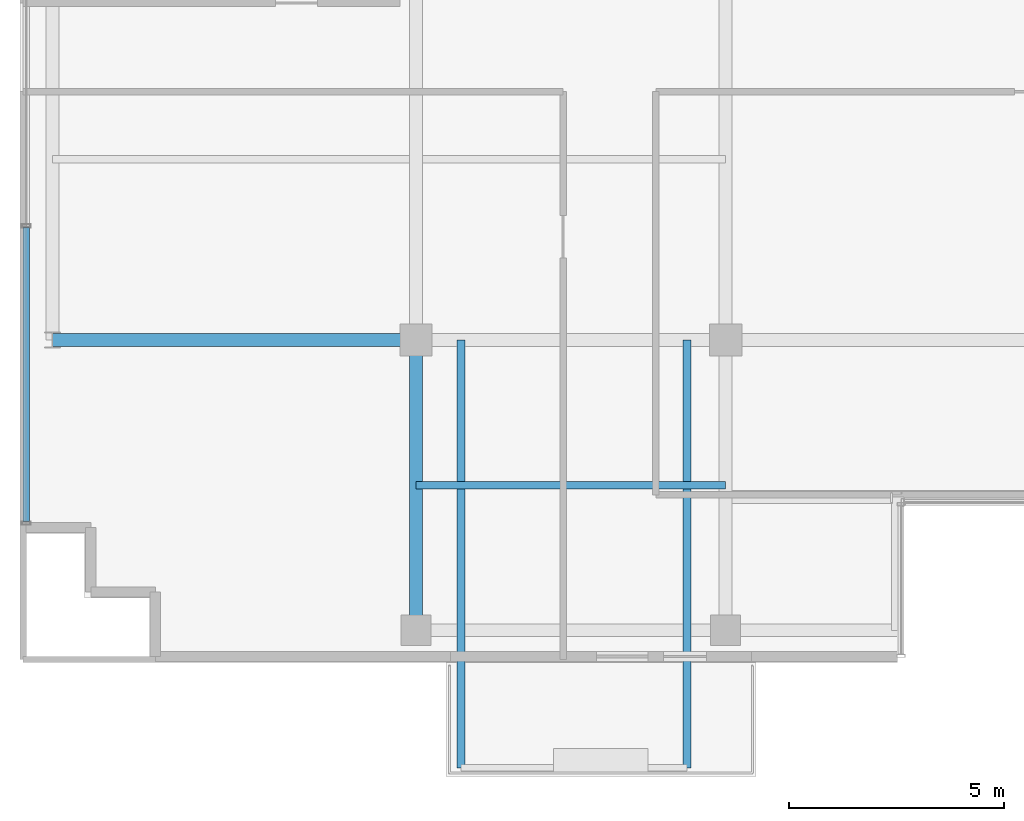
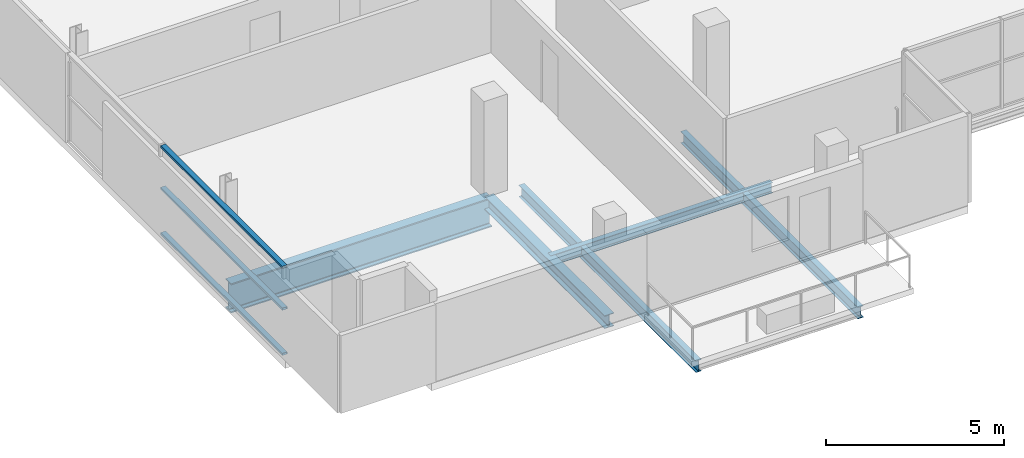
# One storey, part 3 of 24: 5 beams, 3 members, 1 element without a shape of its own.
"""IFC4 building model written with IfcOpenShell, lengths in metres."""

import ifcopenshell
import ifcopenshell.guid

model = None  # the IFC model being written
_history = None  # IfcOwnerHistory: only IFC2X3 demands one
_inside = {}  # id of a spatial element -> (the spatial element, [elements in it])
_under = {}  # id of a project, library or spatial element -> (it, [spatial elements below it])
_declared = {}  # id of a project -> (the project, [libraries it declares])
_typed = {}  # id of a type object -> (the type object, [elements of that type])
_made_of = {}  # id of a material, layer set ... -> (it, [elements and type objects made of it])


def new_model(schema):
    """Start an empty IFC model of exactly this schema.

    Asked for "IFC4X3", IfcOpenShell would pick the latest addendum, in which some entities
    have other attributes; the version numbers below select the first issue.
    IFC2X3 requires an IfcOwnerHistory on every rooted entity: one is made here for all.
    """
    global model, _history
    if schema == "IFC4X3":
        model = ifcopenshell.file(schema_version=(4, 3, 0, 0))
    else:
        model = ifcopenshell.file(schema=schema)
    _inside.clear()
    _under.clear()
    _declared.clear()
    _typed.clear()
    _made_of.clear()
    _history = None
    if model.schema == "IFC2X3":
        org = make("IfcOrganization", Name="unknown")
        user = make(
            "IfcPersonAndOrganization",
            ThePerson=make("IfcPerson", FamilyName="unknown"),
            TheOrganization=org,
        )
        app = make(
            "IfcApplication",
            ApplicationDeveloper=org,
            Version="unknown",
            ApplicationFullName="unknown",
            ApplicationIdentifier="unknown",
        )
        _history = make(
            "IfcOwnerHistory",
            OwningUser=user,
            OwningApplication=app,
            ChangeAction="ADDED",
            CreationDate=0,
        )
    return model


def make(cls, **values):
    """One entity of the class cls with the attributes given. An attribute that is None is left unset."""
    return model.create_entity(
        cls, **{name: value for name, value in values.items() if value is not None}
    )


def rooted(cls, **values):
    """An entity with a GlobalId (a new one), such as an element, a storey or a relation."""
    return make(cls, GlobalId=ifcopenshell.guid.new(), OwnerHistory=_history, **values)


def si_unit(unit_type, name, prefix=None):
    """IfcSIUnit, for example si_unit("LENGTHUNIT", "METRE", prefix="MILLI")."""
    return make("IfcSIUnit", UnitType=unit_type, Prefix=prefix, Name=name)


def assignment(units):
    """IfcUnitAssignment: the units of a project."""
    return None if units is None else make("IfcUnitAssignment", Units=units)


def point(xyz):
    """IfcCartesianPoint."""
    return None if xyz is None else make("IfcCartesianPoint", Coordinates=xyz)


def direction(xyz):
    """IfcDirection."""
    return None if xyz is None else make("IfcDirection", DirectionRatios=xyz)


def frame(location, z_axis=None, x_axis=None):
    """IfcAxis2Placement3D, a coordinate frame: its origin and axes. An axis left out is left unset."""
    return make(
        "IfcAxis2Placement3D",
        Location=point(location),
        Axis=direction(z_axis),
        RefDirection=direction(x_axis),
    )


def frame_2d(location, x_axis=None):
    """IfcAxis2Placement2D, a coordinate frame in the plane: its origin and x axis."""
    return make(
        "IfcAxis2Placement2D", Location=point(location), RefDirection=direction(x_axis)
    )


def origin():
    """The frame at (0, 0, 0) with its axes left unset."""
    return frame((0.0, 0.0, 0.0))


def origin_2d():
    """The frame at (0, 0) in the plane with its x axis left unset."""
    return frame_2d((0.0, 0.0))


def place(relative_to, where):
    """IfcLocalPlacement: puts the frame where relative to a parent placement (None: the world)."""
    return make(
        "IfcLocalPlacement", PlacementRelTo=relative_to, RelativePlacement=where
    )


def context(
    kind, dimensions, precision=None, world=None, true_north=None, identifier=None
):
    """IfcGeometricRepresentationContext, for example the 3D "Model" context."""
    return make(
        "IfcGeometricRepresentationContext",
        ContextIdentifier=identifier,
        ContextType=kind,
        CoordinateSpaceDimension=dimensions,
        Precision=precision,
        WorldCoordinateSystem=world,
        TrueNorth=true_north,
    )


def subcontext(parent, identifier, kind, view, scale=None):
    """IfcGeometricRepresentationSubContext, for example "Body" below "Model"."""
    return make(
        "IfcGeometricRepresentationSubContext",
        ContextIdentifier=identifier,
        ContextType=kind,
        ParentContext=parent,
        TargetScale=scale,
        TargetView=view,
    )


def project(units=None, contexts=None):
    """IfcProject with its units and contexts."""
    return rooted(
        "IfcProject",
        Name="project",
        RepresentationContexts=contexts,
        UnitsInContext=assignment(units),
    )


def spatial(cls, under=None, at=None, **own):
    """A site, building, storey or space (cls), placed at a placement, below another one or the project."""
    s = rooted(cls, ObjectPlacement=at, **own)
    if under is not None:
        _under.setdefault(under.id(), (under, []))[1].append(s)
    return s


def profile(cls, at=None, kind="AREA", **sizes):
    """A parametric profile (cls). Its sizes go by their IFC names, for example OverallWidth=200.0."""
    return make(cls, ProfileType=kind, Position=at, **sizes)


def hollow_rectangle(**sizes):
    """IfcRectangleHollowProfileDef."""
    return profile("IfcRectangleHollowProfileDef", **sizes)


def i_section(**sizes):
    """IfcIShapeProfileDef."""
    return profile("IfcIShapeProfileDef", **sizes)


def extrude(swept, where, along, depth):
    """IfcExtrudedAreaSolid: the profile swept, set in the frame where, extruded along a direction by depth."""
    return make(
        "IfcExtrudedAreaSolid",
        SweptArea=swept,
        Position=where,
        ExtrudedDirection=direction(along),
        Depth=depth,
    )


def shape(context_of_items, identifier, shape_type, items):
    """IfcShapeRepresentation: the items that make up one representation, for example the "Body"."""
    return make(
        "IfcShapeRepresentation",
        ContextOfItems=context_of_items,
        RepresentationIdentifier=identifier,
        RepresentationType=shape_type,
        Items=items,
    )


def source(mapping_origin, context_of_items, identifier, shape_type, items):
    """IfcRepresentationMap: a shape defined once, which mapped items show again and again."""
    return make(
        "IfcRepresentationMap",
        MappingOrigin=mapping_origin,
        MappedRepresentation=shape(context_of_items, identifier, shape_type, items),
    )


def transform(
    local_origin,
    x_axis=None,
    y_axis=None,
    z_axis=None,
    scale=None,
    scale2=None,
    scale3=None,
    uniform=True,
):
    """IfcCartesianTransformationOperator3D, or its non-uniform kind. x_axis, y_axis, z_axis: its Axis1, 2, 3."""
    if uniform:
        return make(
            "IfcCartesianTransformationOperator3D",
            Axis1=direction(x_axis),
            Axis2=direction(y_axis),
            LocalOrigin=point(local_origin),
            Scale=scale,
            Axis3=direction(z_axis),
        )
    return make(
        "IfcCartesianTransformationOperator3DnonUniform",
        Axis1=direction(x_axis),
        Axis2=direction(y_axis),
        LocalOrigin=point(local_origin),
        Scale=scale,
        Axis3=direction(z_axis),
        Scale2=scale2,
        Scale3=scale3,
    )


def mapped(mapping_source, mapping_target):
    """IfcMappedItem: shows the shape of a source again, moved by a transform."""
    return make(
        "IfcMappedItem", MappingSource=mapping_source, MappingTarget=mapping_target
    )


def material(Name=None, Category=None):
    """IfcMaterial."""
    return make("IfcMaterial", Name=Name, Category=Category)


def layer(
    of_material, thickness, ventilated=None, Name=None, Category=None, Priority=None
):
    """IfcMaterialLayer: one layer of a wall or slab, of a material (None: an air gap)."""
    return make(
        "IfcMaterialLayer",
        Material=of_material,
        LayerThickness=thickness,
        IsVentilated=ventilated,
        Name=Name,
        Category=Category,
        Priority=Priority,
    )


def layer_set(layers, Name=None):
    """IfcMaterialLayerSet."""
    return make("IfcMaterialLayerSet", MaterialLayers=layers, LayerSetName=Name)


def material_profile(
    of_material, cross_section, Name=None, Category=None, Priority=None
):
    """IfcMaterialProfile: a cross section and its material."""
    return make(
        "IfcMaterialProfile",
        Name=Name,
        Material=of_material,
        Profile=cross_section,
        Priority=Priority,
        Category=Category,
    )


def profile_set(profiles, Name=None, composite=None):
    """IfcMaterialProfileSet."""
    return make(
        "IfcMaterialProfileSet",
        Name=Name,
        MaterialProfiles=profiles,
        CompositeProfile=composite,
    )


def made_of(thing, what):
    """Note that an element or type object is made of a material, layer set ...; save() writes the relation."""
    if what is not None:
        _made_of.setdefault(what.id(), (what, []))[1].append(thing)
    return thing


def type_object(cls, material=None, **own):
    """A type object (cls), such as IfcWallType, which elements share."""
    return made_of(rooted(cls, **own), material)


def element(
    cls,
    number,
    at=None,
    inside=None,
    cuts=None,
    type_object=None,
    material=None,
    context=None,
    identifier="Body",
    shape_type=None,
    held_by="IfcProductDefinitionShape",
    body=None,
    shapes=None,
    **own,
):
    """One element of the class cls, such as IfcWall. Its Tag is "e" and its number.

    at: its placement. inside: the storey or other place that contains it. cuts: it is an
    opening in that element (IfcRelVoidsElement). A single representation is given by context,
    identifier, shape_type and body (its items); several are given by shapes. held_by: the class
    of the entity that holds the representations. save() writes the other relations.
    """
    e = rooted(cls, Tag="e%d" % number, ObjectPlacement=at, **own)
    if body is not None:
        shapes = [shape(context, identifier, shape_type, body)]
    if shapes is not None:
        e.Representation = make(held_by, Representations=shapes)
    if inside is not None:
        _inside.setdefault(inside.id(), (inside, []))[1].append(e)
    if cuts is not None:
        rooted(
            "IfcRelVoidsElement", RelatingBuildingElement=cuts, RelatedOpeningElement=e
        )
    if type_object is not None:
        _typed.setdefault(type_object.id(), (type_object, []))[1].append(e)
    return made_of(e, material)


def aggregate(whole, parts):
    """IfcRelAggregates: a whole, such as a stair, and the parts it consists of."""
    return rooted("IfcRelAggregates", RelatingObject=whole, RelatedObjects=parts)


def save(model, path):
    """Write the relations noted so far, then the file.

    IfcRelAggregates (storeys below a building ...), IfcRelContainedInSpatialStructure (elements
    in a storey), IfcRelDefinesByType, IfcRelAssociatesMaterial and IfcRelDeclares: one each for
    every whole, place, type object, material and project.
    """
    for whole, parts in _under.values():
        aggregate(whole, parts)
    for where, things in _inside.values():
        rooted(
            "IfcRelContainedInSpatialStructure",
            RelatedElements=things,
            RelatingStructure=where,
        )
    for kind, things in _typed.values():
        rooted("IfcRelDefinesByType", RelatedObjects=things, RelatingType=kind)
    for what, things in _made_of.values():
        rooted("IfcRelAssociatesMaterial", RelatedObjects=things, RelatingMaterial=what)
    for by, libraries in _declared.values():
        rooted("IfcRelDeclares", RelatingContext=by, RelatedDefinitions=libraries)
    model.write(path)


model = new_model("IFC4")

# Units and contexts
model_context = context("Model", 3, precision=1e-05, world=origin(), true_north=direction((0.0, 1.0)))
body_context = subcontext(model_context, "Body", "Model", "MODEL_VIEW")
ifc_project = project(units=[si_unit("LENGTHUNIT", "METRE"), si_unit("AREAUNIT", "SQUARE_METRE"), si_unit("VOLUMEUNIT", "CUBIC_METRE"), si_unit("PLANEANGLEUNIT", "RADIAN"), si_unit("MASSUNIT", "GRAM", prefix="KILO")], contexts=[model_context])

# Site, building, storey
site_placement = place(None, origin())
site = spatial("IfcSite", under=ifc_project, at=site_placement, CompositionType="ELEMENT")
building_placement = place(site_placement, origin())
building = spatial("IfcBuilding", under=site, at=building_placement, Name="Zarnakvel Exchange Tower", CompositionType="ELEMENT")
storey_placement = place(building_placement, frame((0.0, 0.0, 205.60009765625)))
storey = spatial("IfcBuildingStorey", under=building, at=storey_placement, Name="L57", CompositionType="ELEMENT", Elevation=205.60009765625)

# Beams
ifc_material_1 = material(Name="Steel S355", Category="steel")
ifc_material_profile_1 = material_profile(ifc_material_1, i_section(OverallWidth=0.179931640625, OverallDepth=0.39990234375, WebThickness=0.008544921875, FlangeThickness=0.013427734375, FilletRadius=0.02099609375, at=origin_2d()))
ifc_profile_set_1 = profile_set([ifc_material_profile_1], Name="Steel S355")
beam_type_1 = type_object("IfcBeamType", Name="B-06", PredefinedType="JOIST", material=ifc_profile_set_1)
for number, where, z_axis, x_axis, name in (
    (1, (-13.35009765625, -9.60009765625, -0.4501953125), (0.0, -1.0, 0.0), (1.0, 0.0, 0.0), "L57 Continuous Back-Spanned Balcony Beam W"),
    (2, (-8.10009765625, -9.60009765625, -0.4501953125), (0.0, -1.0, 0.0), (1.0, 0.0, 0.0), "L57 Continuous Back-Spanned Balcony Beam E"),
):
    element("IfcBeam", number, at=place(storey_placement, frame(where, z_axis=z_axis, x_axis=x_axis)), inside=storey, type_object=beam_type_1, Name=name, PredefinedType="JOIST", context=body_context, shape_type="SweptSolid", body=[
        extrude(i_section(OverallWidth=0.179931640625, OverallDepth=0.39990234375, WebThickness=0.008544921875, FlangeThickness=0.013427734375, FilletRadius=0.02099609375, at=origin_2d()), origin(), (0.0, 0.0, 1.0), 9.949951171875),
    ])
ifc_material_profile_2 = material_profile(ifc_material_1, i_section(OverallWidth=0.169921875, OverallDepth=0.360107421875, WebThickness=0.008056640625, FlangeThickness=0.0126953125, FilletRadius=0.01806640625, at=origin_2d()))
ifc_profile_set_2 = profile_set([ifc_material_profile_2], Name="Steel S355")
beam_type_2 = type_object("IfcBeamType", Name="B-07", PredefinedType="JOIST", material=ifc_profile_set_2)
beam_1_placement = place(storey_placement, frame((-14.39990234375, -12.97509765625, -0.43017578125), z_axis=(1.0, 0.0, 0.0), x_axis=(0.0, 1.0, 0.0)))
element("IfcBeam", 3, at=beam_1_placement, inside=storey, type_object=beam_type_2, Name="L57 Composite Floor Secondary Joist", PredefinedType="JOIST", context=body_context, shape_type="SweptSolid", body=[
    extrude(i_section(OverallWidth=0.169921875, OverallDepth=0.360107421875, WebThickness=0.008056640625, FlangeThickness=0.0126953125, FilletRadius=0.01806640625, at=origin_2d()), origin(), (0.0, 0.0, 1.0), 7.199951171875),
])
ifc_material_profile_3 = material_profile(ifc_material_1, i_section(OverallWidth=0.300048828125, OverallDepth=0.449951171875, WebThickness=0.013916015625, FlangeThickness=0.02587890625, FilletRadius=0.027099609375, at=origin_2d()))
ifc_profile_set_3 = profile_set([ifc_material_profile_3], Name="Steel S355")
beam_type_3 = type_object("IfcBeamType", Name="G-07", PredefinedType="BEAM", material=ifc_profile_set_3)
beam_2_placement = place(storey_placement, frame((-14.39990234375, -16.35009765625, -0.47509765625), z_axis=(0.0, 1.0, 0.0), x_axis=(-1.0, 0.0, 0.0)))
element("IfcBeam", 4, at=beam_2_placement, inside=storey, type_object=beam_type_3, Name="L57 Tower N-S Frame Beam", PredefinedType="BEAM", context=body_context, shape_type="SweptSolid", body=[
    extrude(i_section(OverallWidth=0.300048828125, OverallDepth=0.449951171875, WebThickness=0.013916015625, FlangeThickness=0.02587890625, FilletRadius=0.027099609375, at=origin_2d()), origin(), (0.0, 0.0, 1.0), 6.75),
])
ifc_material_2 = material(Name="Steel S460", Category="steel")
ifc_material_profile_4 = material_profile(ifc_material_2, i_section(OverallWidth=0.302001953125, OverallDepth=1.008056640625, WebThickness=0.02099609375, FlangeThickness=0.0400390625, FilletRadius=0.030029296875, at=origin_2d()))
ifc_profile_set_4 = profile_set([ifc_material_profile_4], Name="Steel S460")
beam_type_4 = type_object("IfcBeamType", Name="TG-05", PredefinedType="BEAM", material=ifc_profile_set_4)
beam_3_placement = place(storey_placement, frame((-22.85009765625, -9.60009765625, -0.754150390625), z_axis=(1.0, 0.0, 0.0), x_axis=(0.0, 1.0, 0.0)))
element("IfcBeam", 5, at=beam_3_placement, inside=storey, type_object=beam_type_4, Name="L57 Block-Shift Continuous Transfer TW-C", PredefinedType="BEAM", context=body_context, shape_type="SweptSolid", body=[
    extrude(i_section(OverallWidth=0.302001953125, OverallDepth=1.008056640625, WebThickness=0.02099609375, FlangeThickness=0.0400390625, FilletRadius=0.030029296875, at=origin_2d()), origin(), (0.0, 0.0, 1.0), 8.4501953125),
])

# Curtain wall, members
ifc_material_3 = material(Name="Architectural Bronze Anodised Aluminium", Category="aluminium")
ifc_layer = layer(ifc_material_3, 0.199951171875)
ifc_layer_set = layer_set([ifc_layer], Name="Architectural Bronze Anodised Aluminium")
curtain_wall_type = type_object("IfcCurtainWallType", Name="CW-04", PredefinedType="NOTDEFINED", material=ifc_layer_set)
curtain_wall_placement = place(storey_placement, origin())
curtain_wall = element("IfcCurtainWall", 6, at=curtain_wall_placement, inside=storey, type_object=curtain_wall_type, Name="L57 Curtain Wall CW-L57-W1 (CW-04)", PredefinedType="NOTDEFINED")
ifc_material_profile_5 = material_profile(ifc_material_3, hollow_rectangle(XDim=0.159912109375, YDim=0.074951171875, WallThickness=0.00390625, at=origin_2d()))
ifc_profile_set_5 = profile_set([ifc_material_profile_5], Name="Architectural Bronze Anodised Aluminium")
member_type = type_object("IfcMemberType", Name="CWT-04", PredefinedType="USERDEFINED", material=ifc_profile_set_5)
shared_shape = source(origin(), body_context, "Body", "SweptSolid", [
    extrude(hollow_rectangle(XDim=0.159912109375, YDim=0.074951171875, WallThickness=0.00390625, at=origin_2d()), origin(), (0.0, 0.0, 1.0), 6.83740234375),
])
member_1_placement = place(storey_placement, frame((-23.4599609375, -13.824951171875, 0.037353515625), z_axis=(0.0, 1.0, 0.0), x_axis=(-1.0, 0.0, 0.0)))
member_1 = element("IfcMember", 7, at=member_1_placement, type_object=member_type, Name="CW-04 transom 1.1", ObjectType="TRANSOM", PredefinedType="USERDEFINED", context=body_context, shape_type="MappedRepresentation", body=[
    mapped(shared_shape, transform((0.0, 0.0, 0.0), x_axis=(1.0, 0.0, 0.0), y_axis=(0.0, 1.0, 0.0), z_axis=(0.0, 0.0, 1.0), scale=1.0)),
])
member_2_placement = place(storey_placement, frame((-23.4599609375, -13.824951171875, 1.588623046875), z_axis=(0.0, 1.0, 0.0), x_axis=(-1.0, 0.0, 0.0)))
member_2 = element("IfcMember", 8, at=member_2_placement, type_object=member_type, Name="CW-04 transom 1.2", ObjectType="TRANSOM", PredefinedType="USERDEFINED", context=body_context, shape_type="MappedRepresentation", body=[
    mapped(shared_shape, transform((0.0, 0.0, 0.0), x_axis=(1.0, 0.0, 0.0), y_axis=(0.0, 1.0, 0.0), z_axis=(0.0, 0.0, 1.0), scale=1.0)),
])
member_3_placement = place(storey_placement, frame((-23.4599609375, -13.824951171875, 3.017333984375), z_axis=(0.0, 1.0, 0.0), x_axis=(-1.0, 0.0, 0.0)))
member_3 = element("IfcMember", 9, at=member_3_placement, type_object=member_type, Name="CW-04 transom 1.3", ObjectType="TRANSOM", PredefinedType="USERDEFINED", context=body_context, shape_type="MappedRepresentation", body=[
    mapped(shared_shape, transform((0.0, 0.0, 0.0), x_axis=(1.0, 0.0, 0.0), y_axis=(0.0, 1.0, 0.0), z_axis=(0.0, 0.0, 1.0), scale=1.0)),
])
aggregate(curtain_wall, [member_1, member_2, member_3])

save(model, "model.ifc")
